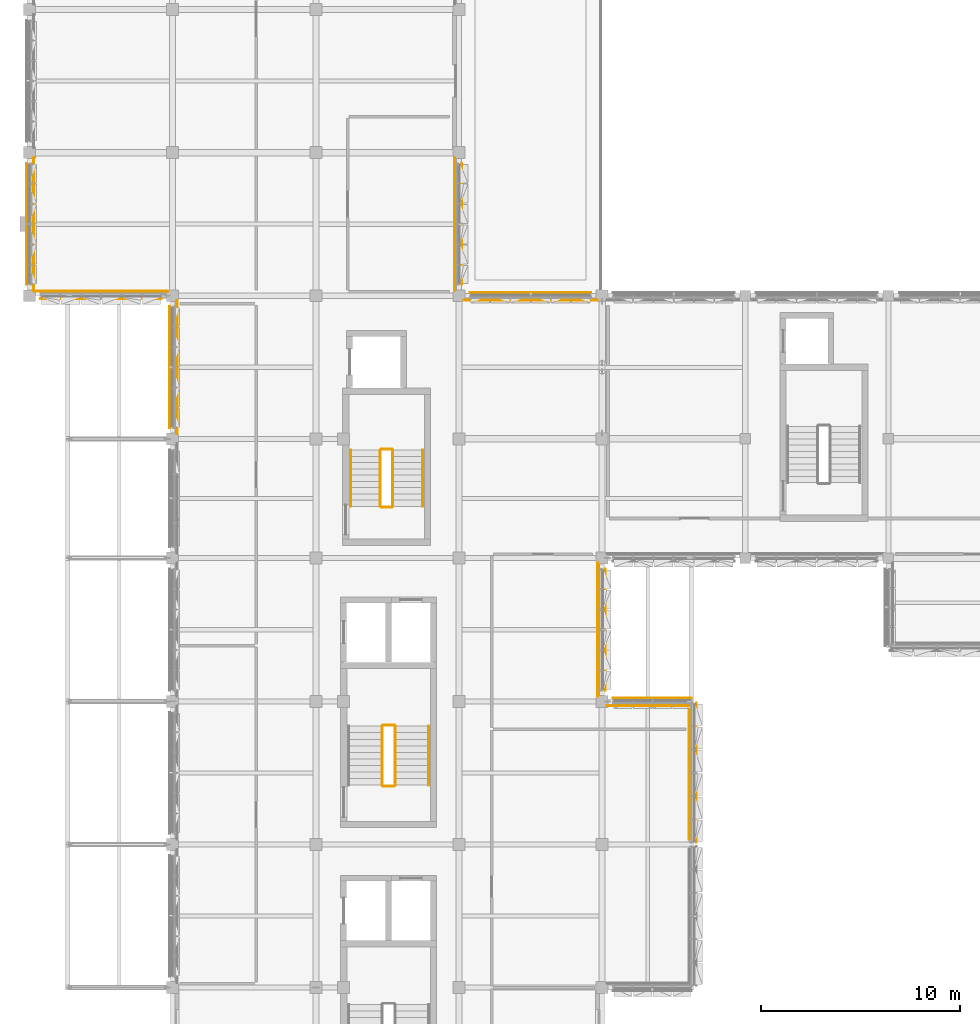
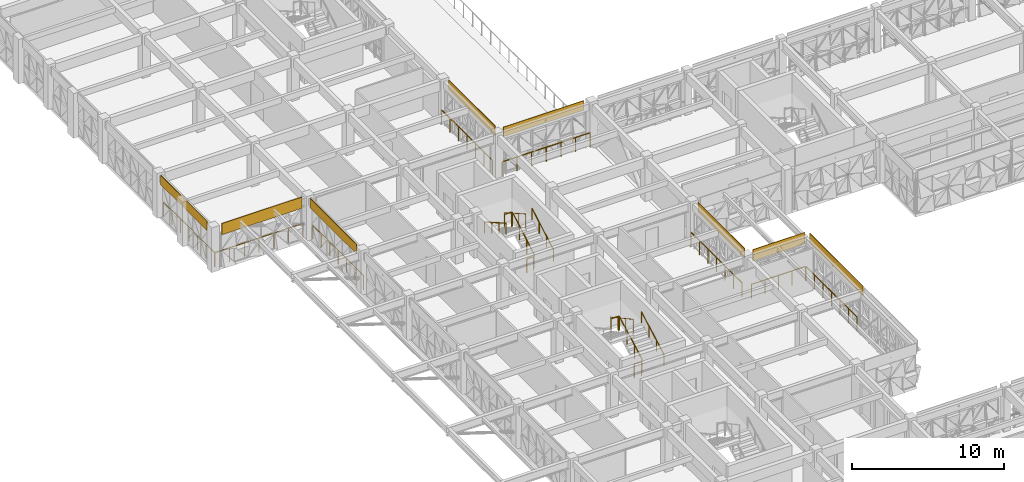
# One storey, part 80 of 99: 19 railings, 8 coverings.
"""IFC4 building model written with IfcOpenShell, lengths in metres."""

import ifcopenshell
import ifcopenshell.guid

model = None  # the IFC model being written
_history = None  # IfcOwnerHistory: only IFC2X3 demands one
_inside = {}  # id of a spatial element -> (the spatial element, [elements in it])
_under = {}  # id of a project, library or spatial element -> (it, [spatial elements below it])
_declared = {}  # id of a project -> (the project, [libraries it declares])
_typed = {}  # id of a type object -> (the type object, [elements of that type])
_made_of = {}  # id of a material, layer set ... -> (it, [elements and type objects made of it])


def new_model(schema):
    """Start an empty IFC model of exactly this schema.

    Asked for "IFC4X3", IfcOpenShell would pick the latest addendum, in which some entities
    have other attributes; the version numbers below select the first issue.
    IFC2X3 requires an IfcOwnerHistory on every rooted entity: one is made here for all.
    """
    global model, _history
    if schema == "IFC4X3":
        model = ifcopenshell.file(schema_version=(4, 3, 0, 0))
    else:
        model = ifcopenshell.file(schema=schema)
    _inside.clear()
    _under.clear()
    _declared.clear()
    _typed.clear()
    _made_of.clear()
    _history = None
    if model.schema == "IFC2X3":
        org = make("IfcOrganization", Name="unknown")
        user = make(
            "IfcPersonAndOrganization",
            ThePerson=make("IfcPerson", FamilyName="unknown"),
            TheOrganization=org,
        )
        app = make(
            "IfcApplication",
            ApplicationDeveloper=org,
            Version="unknown",
            ApplicationFullName="unknown",
            ApplicationIdentifier="unknown",
        )
        _history = make(
            "IfcOwnerHistory",
            OwningUser=user,
            OwningApplication=app,
            ChangeAction="ADDED",
            CreationDate=0,
        )
    return model


def make(cls, **values):
    """One entity of the class cls with the attributes given. An attribute that is None is left unset."""
    return model.create_entity(
        cls, **{name: value for name, value in values.items() if value is not None}
    )


def rooted(cls, **values):
    """An entity with a GlobalId (a new one), such as an element, a storey or a relation."""
    return make(cls, GlobalId=ifcopenshell.guid.new(), OwnerHistory=_history, **values)


def si_unit(unit_type, name, prefix=None):
    """IfcSIUnit, for example si_unit("LENGTHUNIT", "METRE", prefix="MILLI")."""
    return make("IfcSIUnit", UnitType=unit_type, Prefix=prefix, Name=name)


def assignment(units):
    """IfcUnitAssignment: the units of a project."""
    return None if units is None else make("IfcUnitAssignment", Units=units)


def point(xyz):
    """IfcCartesianPoint."""
    return None if xyz is None else make("IfcCartesianPoint", Coordinates=xyz)


def direction(xyz):
    """IfcDirection."""
    return None if xyz is None else make("IfcDirection", DirectionRatios=xyz)


def frame(location, z_axis=None, x_axis=None):
    """IfcAxis2Placement3D, a coordinate frame: its origin and axes. An axis left out is left unset."""
    return make(
        "IfcAxis2Placement3D",
        Location=point(location),
        Axis=direction(z_axis),
        RefDirection=direction(x_axis),
    )


def frame_2d(location, x_axis=None):
    """IfcAxis2Placement2D, a coordinate frame in the plane: its origin and x axis."""
    return make(
        "IfcAxis2Placement2D", Location=point(location), RefDirection=direction(x_axis)
    )


def origin():
    """The frame at (0, 0, 0) with its axes left unset."""
    return frame((0.0, 0.0, 0.0))


def origin_2d():
    """The frame at (0, 0) in the plane with its x axis left unset."""
    return frame_2d((0.0, 0.0))


def place(relative_to, where):
    """IfcLocalPlacement: puts the frame where relative to a parent placement (None: the world)."""
    return make(
        "IfcLocalPlacement", PlacementRelTo=relative_to, RelativePlacement=where
    )


def context(
    kind, dimensions, precision=None, world=None, true_north=None, identifier=None
):
    """IfcGeometricRepresentationContext, for example the 3D "Model" context."""
    return make(
        "IfcGeometricRepresentationContext",
        ContextIdentifier=identifier,
        ContextType=kind,
        CoordinateSpaceDimension=dimensions,
        Precision=precision,
        WorldCoordinateSystem=world,
        TrueNorth=true_north,
    )


def subcontext(parent, identifier, kind, view, scale=None):
    """IfcGeometricRepresentationSubContext, for example "Body" below "Model"."""
    return make(
        "IfcGeometricRepresentationSubContext",
        ContextIdentifier=identifier,
        ContextType=kind,
        ParentContext=parent,
        TargetScale=scale,
        TargetView=view,
    )


def project(units=None, contexts=None):
    """IfcProject with its units and contexts."""
    return rooted(
        "IfcProject",
        Name="project",
        RepresentationContexts=contexts,
        UnitsInContext=assignment(units),
    )


def spatial(cls, under=None, at=None, **own):
    """A site, building, storey or space (cls), placed at a placement, below another one or the project."""
    s = rooted(cls, ObjectPlacement=at, **own)
    if under is not None:
        _under.setdefault(under.id(), (under, []))[1].append(s)
    return s


def polyline(points):
    """IfcPolyline through the points."""
    return make("IfcPolyline", Points=[point(p) for p in points])


def profile(cls, at=None, kind="AREA", **sizes):
    """A parametric profile (cls). Its sizes go by their IFC names, for example OverallWidth=200.0."""
    return make(cls, ProfileType=kind, Position=at, **sizes)


def circle(**sizes):
    """IfcCircleProfileDef."""
    return profile("IfcCircleProfileDef", **sizes)


def outline(outer, holes=None, kind="AREA"):
    """IfcArbitraryClosedProfileDef: a profile drawn as a closed curve; with holes, ...WithVoids."""
    if holes is None:
        return make("IfcArbitraryClosedProfileDef", ProfileType=kind, OuterCurve=outer)
    return make(
        "IfcArbitraryProfileDefWithVoids",
        ProfileType=kind,
        OuterCurve=outer,
        InnerCurves=holes,
    )


def extrude(swept, where, along, depth):
    """IfcExtrudedAreaSolid: the profile swept, set in the frame where, extruded along a direction by depth."""
    return make(
        "IfcExtrudedAreaSolid",
        SweptArea=swept,
        Position=where,
        ExtrudedDirection=direction(along),
        Depth=depth,
    )


def shape(context_of_items, identifier, shape_type, items):
    """IfcShapeRepresentation: the items that make up one representation, for example the "Body"."""
    return make(
        "IfcShapeRepresentation",
        ContextOfItems=context_of_items,
        RepresentationIdentifier=identifier,
        RepresentationType=shape_type,
        Items=items,
    )


def material(Name=None, Category=None):
    """IfcMaterial."""
    return make("IfcMaterial", Name=Name, Category=Category)


def layer(
    of_material, thickness, ventilated=None, Name=None, Category=None, Priority=None
):
    """IfcMaterialLayer: one layer of a wall or slab, of a material (None: an air gap)."""
    return make(
        "IfcMaterialLayer",
        Material=of_material,
        LayerThickness=thickness,
        IsVentilated=ventilated,
        Name=Name,
        Category=Category,
        Priority=Priority,
    )


def layer_set(layers, Name=None):
    """IfcMaterialLayerSet."""
    return make("IfcMaterialLayerSet", MaterialLayers=layers, LayerSetName=Name)


def made_of(thing, what):
    """Note that an element or type object is made of a material, layer set ...; save() writes the relation."""
    if what is not None:
        _made_of.setdefault(what.id(), (what, []))[1].append(thing)
    return thing


def type_object(cls, material=None, **own):
    """A type object (cls), such as IfcWallType, which elements share."""
    return made_of(rooted(cls, **own), material)


def element(
    cls,
    number,
    at=None,
    inside=None,
    cuts=None,
    type_object=None,
    material=None,
    context=None,
    identifier="Body",
    shape_type=None,
    held_by="IfcProductDefinitionShape",
    body=None,
    shapes=None,
    **own,
):
    """One element of the class cls, such as IfcWall. Its Tag is "e" and its number.

    at: its placement. inside: the storey or other place that contains it. cuts: it is an
    opening in that element (IfcRelVoidsElement). A single representation is given by context,
    identifier, shape_type and body (its items); several are given by shapes. held_by: the class
    of the entity that holds the representations. save() writes the other relations.
    """
    e = rooted(cls, Tag="e%d" % number, ObjectPlacement=at, **own)
    if body is not None:
        shapes = [shape(context, identifier, shape_type, body)]
    if shapes is not None:
        e.Representation = make(held_by, Representations=shapes)
    if inside is not None:
        _inside.setdefault(inside.id(), (inside, []))[1].append(e)
    if cuts is not None:
        rooted(
            "IfcRelVoidsElement", RelatingBuildingElement=cuts, RelatedOpeningElement=e
        )
    if type_object is not None:
        _typed.setdefault(type_object.id(), (type_object, []))[1].append(e)
    return made_of(e, material)


def aggregate(whole, parts):
    """IfcRelAggregates: a whole, such as a stair, and the parts it consists of."""
    return rooted("IfcRelAggregates", RelatingObject=whole, RelatedObjects=parts)


def save(model, path):
    """Write the relations noted so far, then the file.

    IfcRelAggregates (storeys below a building ...), IfcRelContainedInSpatialStructure (elements
    in a storey), IfcRelDefinesByType, IfcRelAssociatesMaterial and IfcRelDeclares: one each for
    every whole, place, type object, material and project.
    """
    for whole, parts in _under.values():
        aggregate(whole, parts)
    for where, things in _inside.values():
        rooted(
            "IfcRelContainedInSpatialStructure",
            RelatedElements=things,
            RelatingStructure=where,
        )
    for kind, things in _typed.values():
        rooted("IfcRelDefinesByType", RelatedObjects=things, RelatingType=kind)
    for what, things in _made_of.values():
        rooted("IfcRelAssociatesMaterial", RelatedObjects=things, RelatingMaterial=what)
    for by, libraries in _declared.values():
        rooted("IfcRelDeclares", RelatingContext=by, RelatedDefinitions=libraries)
    model.write(path)


model = new_model("IFC4")

# Units and contexts
model_context = context("Model", 3, precision=1e-05, world=origin(), true_north=direction((0.0, 1.0)))
body_context = subcontext(model_context, "Body", "Model", "MODEL_VIEW")
ifc_project = project(units=[si_unit("LENGTHUNIT", "METRE"), si_unit("AREAUNIT", "SQUARE_METRE"), si_unit("VOLUMEUNIT", "CUBIC_METRE"), si_unit("PLANEANGLEUNIT", "RADIAN"), si_unit("MASSUNIT", "GRAM", prefix="KILO")], contexts=[model_context])

# Site, building, storey
site_placement = place(None, origin())
site = spatial("IfcSite", under=ifc_project, at=site_placement, CompositionType="ELEMENT")
building_placement = place(site_placement, origin())
building = spatial("IfcBuilding", under=site, at=building_placement, Name="Alvorim Cloister Faculty of Sciences", CompositionType="ELEMENT")
storey_placement = place(building_placement, frame((0.0, 0.0, 12.14990234375)))
storey = spatial("IfcBuildingStorey", under=building, at=storey_placement, Name="L03", CompositionType="ELEMENT", Elevation=12.14990234375)

# Coverings
ifc_material_1 = material(Name="Anodised Aluminium Alloy 6063-T6", Category="aluminium")
ifc_layer = layer(ifc_material_1, 0.031982421875)
ifc_layer_set = layer_set([ifc_layer], Name="Anodised Aluminium Alloy 6063-T6")
covering_type = type_object("IfcCoveringType", Name="COV-FAC-CAS", PredefinedType="CLADDING", material=ifc_layer_set)
covering_1_placement = place(storey_placement, frame((7.050048828125, 49.739990234375, 2.830078125), z_axis=(0.0, 0.0, 1.0), x_axis=(0.0, 1.0, 0.0)))
element("IfcCovering", 1, at=covering_1_placement, inside=storey, type_object=covering_type, Name="L03 Shifted Bar Slab-Edge Architectural Fascia", PredefinedType="CLADDING", context=body_context, shape_type="SweptSolid", body=[
    extrude(outline(polyline([(0.0, 0.0), (6.1201171875, 0.0), (6.1201171875, 0.760009765625), (0.0, 0.760009765625), (0.0, 0.0)])), frame((0.0, 0.0224609375, 0.0), z_axis=(0.0, -1.0, 0.0), x_axis=(1.0, 0.0, 0.0)), (0.0, 0.0, 1.0), 0.044921875),
])
covering_2_placement = place(storey_placement, frame((0.5400390625, 56.25, 2.68603515625), z_axis=(0.0, 0.0, 1.0), x_axis=(1.0, 0.0, 0.0)))
element("IfcCovering", 2, at=covering_2_placement, inside=storey, type_object=covering_type, Name="L03 Shifted Bar Slab-Edge Architectural Fascia", PredefinedType="CLADDING", context=body_context, shape_type="SweptSolid", body=[
    extrude(outline(polyline([(0.0, 0.0), (6.1201171875, 0.0), (6.1201171875, 0.904052734375), (0.0, 0.904052734375), (0.0, 0.0)])), frame((0.0, 0.0224609375, 0.0), z_axis=(0.0, -1.0, 0.0), x_axis=(1.0, 0.0, 0.0)), (0.0, 0.0, 1.0), 0.044921875),
])
for number, where, z_axis, x_axis, name in (
    (3, (-0.14990234375, 56.93994140625, 2.830078125), (0.0, 0.0, 1.0), (0.0, 1.0, 0.0), "L03 Shifted Bar Slab-Edge Architectural Fascia"),
    (4, (21.75, 56.93994140625, 2.830078125), (0.0, 0.0, 1.0), (0.0, 1.0, 0.0), "L03 Shifted Bar Slab-Edge Architectural Fascia"),
    (5, (22.139892578125, 56.550048828125, 2.830078125), (0.0, 0.0, 1.0), (1.0, 0.0, 0.0), "L03 Shifted Bar Slab-Edge Architectural Fascia"),
    (6, (28.949951171875, 36.5400390625, 2.830078125), (0.0, 0.0, 1.0), (0.0, 1.0, 0.0), "L03 Shifted Bar Slab-Edge Architectural Fascia"),
):
    element("IfcCovering", number, at=place(storey_placement, frame(where, z_axis=z_axis, x_axis=x_axis)), inside=storey, type_object=covering_type, Name=name, PredefinedType="CLADDING", context=body_context, shape_type="SweptSolid", body=[
        extrude(outline(polyline([(0.0, 0.0), (6.1201171875, 0.0), (6.1201171875, 0.760009765625), (0.0, 0.760009765625), (0.0, 0.0)])), frame((0.0, 0.0224609375, 0.0), z_axis=(0.0, -1.0, 0.0), x_axis=(1.0, 0.0, 0.0)), (0.0, 0.0, 1.0), 0.044921875),
    ])
covering_3_placement = place(storey_placement, frame((29.340087890625, 36.14990234375, 2.68603515625), z_axis=(0.0, 0.0, 1.0), x_axis=(1.0, 0.0, 0.0)))
element("IfcCovering", 7, at=covering_3_placement, inside=storey, type_object=covering_type, Name="L03 Shifted Bar Slab-Edge Architectural Fascia", PredefinedType="CLADDING", context=body_context, shape_type="SweptSolid", body=[
    extrude(outline(polyline([(0.0, 0.0), (3.97998046875, 0.0), (3.97998046875, 0.904052734375), (0.0, 0.904052734375), (0.0, 0.0)])), frame((0.0, 0.0224609375, 0.0), z_axis=(0.0, -1.0, 0.0), x_axis=(1.0, 0.0, 0.0)), (0.0, 0.0, 1.0), 0.044921875),
])
covering_4_placement = place(storey_placement, frame((33.550048828125, 28.8798828125, 2.837158203125), z_axis=(0.0, 0.0, 1.0), x_axis=(0.0, 1.0, 0.0)))
element("IfcCovering", 8, at=covering_4_placement, inside=storey, type_object=covering_type, Name="L03 Shifted Bar Slab-Edge Architectural Fascia", PredefinedType="CLADDING", context=body_context, shape_type="SweptSolid", body=[
    extrude(outline(polyline([(0.0, 0.0), (7.0400390625, 0.0), (7.0400390625, 0.7529296875), (0.0, 0.7529296875), (0.0, 0.0)])), frame((0.0, 0.0224609375, 0.0), z_axis=(0.0, -1.0, 0.0), x_axis=(1.0, 0.0, 0.0)), (0.0, 0.0, 1.0), 0.044921875),
])

# Railings
ifc_material_2 = material(Name="Laminated Safety Glass and Bronze", Category="glass")
railing_type_1 = type_object("IfcRailingType", Name="RL-ATR-BAL-1150", PredefinedType="BALUSTRADE", material=ifc_material_2)
railing_1_placement = place(storey_placement, frame((7.419921875, 49.449951171875, 0.0)))
element("IfcRailing", 9, at=railing_1_placement, inside=storey, type_object=railing_type_1, Name="L03 Curtain Wall Sill Guard BL-98", PredefinedType="BALUSTRADE", context=body_context, shape_type="SweptSolid", body=[
    extrude(circle(Radius=0.02392578125, at=origin_2d()), frame((0.0, 0.0, 1.1259765625), z_axis=(0.0, 1.0, 0.0), x_axis=(-1.0, 0.0, 0.0)), (0.0, 0.0, 1.0), 6.699951171875),
    extrude(circle(Radius=0.02099609375, at=origin_2d()), origin(), (0.0, 0.0, 1.0), 1.101806640625),
    extrude(circle(Radius=0.02099609375, at=origin_2d()), frame((0.0, 1.11669921875, 0.0)), (0.0, 0.0, 1.0), 1.101806640625),
    extrude(circle(Radius=0.02099609375, at=origin_2d()), frame((0.0, 2.2333984375, 0.0)), (0.0, 0.0, 1.0), 1.101806640625),
    extrude(circle(Radius=0.02099609375, at=origin_2d()), frame((0.0, 3.35009765625, 0.0)), (0.0, 0.0, 1.0), 1.101806640625),
    extrude(circle(Radius=0.02099609375, at=origin_2d()), frame((0.0, 4.466552734375, 0.0)), (0.0, 0.0, 1.0), 1.101806640625),
    extrude(circle(Radius=0.02099609375, at=origin_2d()), frame((0.0, 5.583251953125, 0.0)), (0.0, 0.0, 1.0), 1.101806640625),
    extrude(circle(Radius=0.02099609375, at=origin_2d()), frame((0.0, 6.699951171875, 0.0)), (0.0, 0.0, 1.0), 1.101806640625),
])
railing_2_placement = place(storey_placement, frame((0.25, 56.6201171875, 0.0)))
element("IfcRailing", 10, at=railing_2_placement, inside=storey, type_object=railing_type_1, Name="L03 Curtain Wall Sill Guard BL-99", PredefinedType="BALUSTRADE", context=body_context, shape_type="SweptSolid", body=[
    extrude(circle(Radius=0.02392578125, at=origin_2d()), frame((0.0, 0.0, 1.1259765625), z_axis=(1.0, 0.0, 0.0), x_axis=(0.0, 1.0, 0.0)), (0.0, 0.0, 1.0), 6.699951171875),
    extrude(circle(Radius=0.02099609375, at=origin_2d()), origin(), (0.0, 0.0, 1.0), 1.101806640625),
    extrude(circle(Radius=0.02099609375, at=origin_2d()), frame((1.11669921875, 0.0, 0.0)), (0.0, 0.0, 1.0), 1.101806640625),
    extrude(circle(Radius=0.02099609375, at=origin_2d()), frame((2.2333984375, 0.0, 0.0)), (0.0, 0.0, 1.0), 1.101806640625),
    extrude(circle(Radius=0.02099609375, at=origin_2d()), frame((3.35009765625, 0.0, 0.0)), (0.0, 0.0, 1.0), 1.101806640625),
    extrude(circle(Radius=0.02099609375, at=origin_2d()), frame((4.466552734375, 0.0, 0.0)), (0.0, 0.0, 1.0), 1.101806640625),
    extrude(circle(Radius=0.02099609375, at=origin_2d()), frame((5.583251953125, 0.0, 0.0)), (0.0, 0.0, 1.0), 1.101806640625),
    extrude(circle(Radius=0.02099609375, at=origin_2d()), frame((6.699951171875, 0.0, 0.0)), (0.0, 0.0, 1.0), 1.101806640625),
])
for number, where, name in (
    (11, (0.219970703125, 56.64990234375, 0.0), "L03 Curtain Wall Sill Guard BL-100"),
    (12, (21.3798828125, 56.64990234375, 0.0), "L03 Curtain Wall Sill Guard BL-117"),
):
    element("IfcRailing", number, at=place(storey_placement, frame(where)), inside=storey, type_object=railing_type_1, Name=name, PredefinedType="BALUSTRADE", context=body_context, shape_type="SweptSolid", body=[
        extrude(circle(Radius=0.02392578125, at=origin_2d()), frame((0.0, 0.0, 1.1259765625), z_axis=(0.0, 1.0, 0.0), x_axis=(-1.0, 0.0, 0.0)), (0.0, 0.0, 1.0), 6.7001953125),
        extrude(circle(Radius=0.02099609375, at=origin_2d()), origin(), (0.0, 0.0, 1.0), 1.101806640625),
        extrude(circle(Radius=0.02099609375, at=origin_2d()), frame((0.0, 1.11669921875, 0.0)), (0.0, 0.0, 1.0), 1.101806640625),
        extrude(circle(Radius=0.02099609375, at=origin_2d()), frame((0.0, 2.2333984375, 0.0)), (0.0, 0.0, 1.0), 1.101806640625),
        extrude(circle(Radius=0.02099609375, at=origin_2d()), frame((0.0, 3.35009765625, 0.0)), (0.0, 0.0, 1.0), 1.101806640625),
        extrude(circle(Radius=0.02099609375, at=origin_2d()), frame((0.0, 4.466796875, 0.0)), (0.0, 0.0, 1.0), 1.101806640625),
        extrude(circle(Radius=0.02099609375, at=origin_2d()), frame((0.0, 5.58349609375, 0.0)), (0.0, 0.0, 1.0), 1.101806640625),
        extrude(circle(Radius=0.02099609375, at=origin_2d()), frame((0.0, 6.7001953125, 0.0)), (0.0, 0.0, 1.0), 1.101806640625),
    ])
railing_3_placement = place(storey_placement, frame((21.85009765625, 56.179931640625, 0.0)))
element("IfcRailing", 13, at=railing_3_placement, inside=storey, type_object=railing_type_1, Name="L03 Curtain Wall Sill Guard BL-118", PredefinedType="BALUSTRADE", context=body_context, shape_type="SweptSolid", body=[
    extrude(circle(Radius=0.02392578125, at=origin_2d()), frame((0.0, 0.0, 1.1259765625), z_axis=(1.0, 0.0, 0.0), x_axis=(0.0, 1.0, 0.0)), (0.0, 0.0, 1.0), 6.699951171875),
    extrude(circle(Radius=0.02099609375, at=origin_2d()), origin(), (0.0, 0.0, 1.0), 1.101806640625),
    extrude(circle(Radius=0.02099609375, at=origin_2d()), frame((1.11669921875, 0.0, 0.0)), (0.0, 0.0, 1.0), 1.101806640625),
    extrude(circle(Radius=0.02099609375, at=origin_2d()), frame((2.2333984375, 0.0, 0.0)), (0.0, 0.0, 1.0), 1.101806640625),
    extrude(circle(Radius=0.02099609375, at=origin_2d()), frame((3.35009765625, 0.0, 0.0)), (0.0, 0.0, 1.0), 1.101806640625),
    extrude(circle(Radius=0.02099609375, at=origin_2d()), frame((4.466552734375, 0.0, 0.0)), (0.0, 0.0, 1.0), 1.101806640625),
    extrude(circle(Radius=0.02099609375, at=origin_2d()), frame((5.583251953125, 0.0, 0.0)), (0.0, 0.0, 1.0), 1.101806640625),
    extrude(circle(Radius=0.02099609375, at=origin_2d()), frame((6.699951171875, 0.0, 0.0)), (0.0, 0.0, 1.0), 1.101806640625),
])
railing_4_placement = place(storey_placement, frame((28.580078125, 36.25, 0.0)))
element("IfcRailing", 14, at=railing_4_placement, inside=storey, type_object=railing_type_1, Name="L03 Curtain Wall Sill Guard BL-133", PredefinedType="BALUSTRADE", context=body_context, shape_type="SweptSolid", body=[
    extrude(circle(Radius=0.02392578125, at=origin_2d()), frame((0.0, 0.0, 1.1259765625), z_axis=(0.0, 1.0, 0.0), x_axis=(-1.0, 0.0, 0.0)), (0.0, 0.0, 1.0), 6.699951171875),
    extrude(circle(Radius=0.02099609375, at=origin_2d()), origin(), (0.0, 0.0, 1.0), 1.101806640625),
    extrude(circle(Radius=0.02099609375, at=origin_2d()), frame((0.0, 1.11669921875, 0.0)), (0.0, 0.0, 1.0), 1.101806640625),
    extrude(circle(Radius=0.02099609375, at=origin_2d()), frame((0.0, 2.2333984375, 0.0)), (0.0, 0.0, 1.0), 1.101806640625),
    extrude(circle(Radius=0.02099609375, at=origin_2d()), frame((0.0, 3.35009765625, 0.0)), (0.0, 0.0, 1.0), 1.101806640625),
    extrude(circle(Radius=0.02099609375, at=origin_2d()), frame((0.0, 4.466552734375, 0.0)), (0.0, 0.0, 1.0), 1.101806640625),
    extrude(circle(Radius=0.02099609375, at=origin_2d()), frame((0.0, 5.583251953125, 0.0)), (0.0, 0.0, 1.0), 1.101806640625),
    extrude(circle(Radius=0.02099609375, at=origin_2d()), frame((0.0, 6.699951171875, 0.0)), (0.0, 0.0, 1.0), 1.101806640625),
])
railing_5_placement = place(storey_placement, frame((29.050048828125, 35.780029296875, 0.0)))
element("IfcRailing", 15, at=railing_5_placement, inside=storey, type_object=railing_type_1, Name="L03 Curtain Wall Sill Guard BL-134", PredefinedType="BALUSTRADE", context=body_context, shape_type="SweptSolid", body=[
    extrude(circle(Radius=0.02392578125, at=origin_2d()), frame((0.0, 0.0, 1.1259765625), z_axis=(1.0, 0.0, 0.0), x_axis=(0.0, 1.0, 0.0)), (0.0, 0.0, 1.0), 4.099853515625),
    extrude(circle(Radius=0.02099609375, at=origin_2d()), origin(), (0.0, 0.0, 1.0), 1.101806640625),
    extrude(circle(Radius=0.02099609375, at=origin_2d()), frame((1.02490234375, 0.0, 0.0)), (0.0, 0.0, 1.0), 1.101806640625),
    extrude(circle(Radius=0.02099609375, at=origin_2d()), frame((2.0498046875, 0.0, 0.0)), (0.0, 0.0, 1.0), 1.101806640625),
    extrude(circle(Radius=0.02099609375, at=origin_2d()), frame((3.074951171875, 0.0, 0.0)), (0.0, 0.0, 1.0), 1.101806640625),
    extrude(circle(Radius=0.02099609375, at=origin_2d()), frame((4.099853515625, 0.0, 0.0)), (0.0, 0.0, 1.0), 1.101806640625),
])
railing_6_placement = place(storey_placement, frame((33.179931640625, 29.050048828125, 0.0)))
element("IfcRailing", 16, at=railing_6_placement, inside=storey, type_object=railing_type_1, Name="L03 Curtain Wall Sill Guard BL-135", PredefinedType="BALUSTRADE", context=body_context, shape_type="SweptSolid", body=[
    extrude(circle(Radius=0.02392578125, at=origin_2d()), frame((0.0, 0.0, 1.1259765625), z_axis=(0.0, 1.0, 0.0), x_axis=(-1.0, 0.0, 0.0)), (0.0, 0.0, 1.0), 6.699951171875),
    extrude(circle(Radius=0.02099609375, at=origin_2d()), origin(), (0.0, 0.0, 1.0), 1.101806640625),
    extrude(circle(Radius=0.02099609375, at=origin_2d()), frame((0.0, 1.11669921875, 0.0)), (0.0, 0.0, 1.0), 1.101806640625),
    extrude(circle(Radius=0.02099609375, at=origin_2d()), frame((0.0, 2.2333984375, 0.0)), (0.0, 0.0, 1.0), 1.101806640625),
    extrude(circle(Radius=0.02099609375, at=origin_2d()), frame((0.0, 3.35009765625, 0.0)), (0.0, 0.0, 1.0), 1.101806640625),
    extrude(circle(Radius=0.02099609375, at=origin_2d()), frame((0.0, 4.466552734375, 0.0)), (0.0, 0.0, 1.0), 1.101806640625),
    extrude(circle(Radius=0.02099609375, at=origin_2d()), frame((0.0, 5.583251953125, 0.0)), (0.0, 0.0, 1.0), 1.101806640625),
    extrude(circle(Radius=0.02099609375, at=origin_2d()), frame((0.0, 6.699951171875, 0.0)), (0.0, 0.0, 1.0), 1.101806640625),
])
ifc_material_3 = material(Name="Galvanised Painted Steel", Category="steel")
railing_type_2 = type_object("IfcRailingType", Name="RL-STR-GUARD", PredefinedType="GUARDRAIL", material=ifc_material_3)
railing_7_placement = place(storey_placement, frame((18.389892578125, 31.780029296875, 0.18017578125)))
element("IfcRailing", 17, at=railing_7_placement, inside=storey, type_object=railing_type_2, Name="L03 ST-02 stair guard 1", PredefinedType="GUARDRAIL", context=body_context, shape_type="SweptSolid", body=[
    extrude(circle(Radius=0.02392578125, at=origin_2d()), frame((0.0, 0.0, 1.09619140625), z_axis=(0.0, 0.877909362389, 0.478826849112), x_axis=(-1.0, 0.0, 0.0)), (0.0, 0.0, 1.0), 3.383056640625),
    extrude(circle(Radius=0.02099609375, at=origin_2d()), origin(), (0.0, 0.0, 1.0), 1.072021484375),
    extrude(circle(Radius=0.02099609375, at=origin_2d()), frame((0.0, 0.989990234375, 0.5400390625)), (0.0, 0.0, 1.0), 1.072021484375),
    extrude(circle(Radius=0.02099609375, at=origin_2d()), frame((0.0, 1.97998046875, 1.079833984375)), (0.0, 0.0, 1.0), 1.072021484375),
    extrude(circle(Radius=0.02099609375, at=origin_2d()), frame((0.0, 2.969970703125, 1.619873046875)), (0.0, 0.0, 1.0), 1.072021484375),
])
railing_8_placement = place(storey_placement, frame((18.340087890625, 34.800048828125, 1.800048828125)))
element("IfcRailing", 18, at=railing_8_placement, inside=storey, type_object=railing_type_2, Name="L03 ST-02 stair guard 2", PredefinedType="GUARDRAIL", context=body_context, shape_type="SweptSolid", body=[
    extrude(circle(Radius=0.02392578125, at=origin_2d()), frame((0.0, 0.0, 1.09619140625), z_axis=(-1.0, 0.0, 0.0), x_axis=(0.0, -1.0, 0.0)), (0.0, 0.0, 1.0), 0.56005859375),
    extrude(circle(Radius=0.02099609375, at=origin_2d()), origin(), (0.0, 0.0, 1.0), 1.072021484375),
    extrude(circle(Radius=0.02099609375, at=origin_2d()), frame((-0.56005859375, 0.0, 0.0)), (0.0, 0.0, 1.0), 1.072021484375),
])
railing_9_placement = place(storey_placement, frame((17.72998046875, 34.75, 1.97998046875)))
element("IfcRailing", 19, at=railing_9_placement, inside=storey, type_object=railing_type_2, Name="L03 ST-02 stair guard 3", PredefinedType="GUARDRAIL", context=body_context, shape_type="SweptSolid", body=[
    extrude(circle(Radius=0.02392578125, at=origin_2d()), frame((0.0, 0.0, 1.09619140625), z_axis=(0.0, -0.877879025156, 0.47888246699), x_axis=(1.0, 0.0, 0.0)), (0.0, 0.0, 1.0), 3.383056640625),
    extrude(circle(Radius=0.02099609375, at=origin_2d()), origin(), (0.0, 0.0, 1.0), 1.072021484375),
    extrude(circle(Radius=0.02099609375, at=origin_2d()), frame((0.0, -0.989990234375, 0.5400390625)), (0.0, 0.0, 1.0), 1.072021484375),
    extrude(circle(Radius=0.02099609375, at=origin_2d()), frame((0.0, -1.97998046875, 1.080078125)), (0.0, 0.0, 1.0), 1.072021484375),
    extrude(circle(Radius=0.02099609375, at=origin_2d()), frame((0.0, -2.969970703125, 1.6201171875)), (0.0, 0.0, 1.0), 1.072021484375),
])
railing_10_placement = place(storey_placement, frame((18.340087890625, 31.72998046875, 0.0)))
element("IfcRailing", 20, at=railing_10_placement, inside=storey, type_object=railing_type_2, Name="L03 ST-02 stair guard 4", PredefinedType="GUARDRAIL", context=body_context, shape_type="SweptSolid", body=[
    extrude(circle(Radius=0.02392578125, at=origin_2d()), frame((0.0, 0.0, 1.09619140625), z_axis=(-1.0, 0.0, 0.0), x_axis=(0.0, -1.0, 0.0)), (0.0, 0.0, 1.0), 0.56005859375),
    extrude(circle(Radius=0.02099609375, at=origin_2d()), origin(), (0.0, 0.0, 1.0), 1.072021484375),
    extrude(circle(Radius=0.02099609375, at=origin_2d()), frame((-0.56005859375, 0.0, 0.0)), (0.0, 0.0, 1.0), 1.072021484375),
])
railing_11_placement = place(storey_placement, frame((18.27001953125, 45.800048828125, 0.18017578125)))
element("IfcRailing", 21, at=railing_11_placement, inside=storey, type_object=railing_type_2, Name="L03 ST-03 stair guard 1", PredefinedType="GUARDRAIL", context=body_context, shape_type="SweptSolid", body=[
    extrude(circle(Radius=0.02392578125, at=origin_2d()), frame((0.0, 0.0, 1.09619140625), z_axis=(0.0, 0.868256945921, 0.496114780932), x_axis=(-1.0, 0.0, 0.0)), (0.0, 0.0, 1.0), 3.26513671875),
    extrude(circle(Radius=0.02099609375, at=origin_2d()), origin(), (0.0, 0.0, 1.0), 1.072021484375),
    extrude(circle(Radius=0.02099609375, at=origin_2d()), frame((0.0, 0.945068359375, 0.5400390625)), (0.0, 0.0, 1.0), 1.072021484375),
    extrude(circle(Radius=0.02099609375, at=origin_2d()), frame((0.0, 1.889892578125, 1.079833984375)), (0.0, 0.0, 1.0), 1.072021484375),
    extrude(circle(Radius=0.02099609375, at=origin_2d()), frame((0.0, 2.8349609375, 1.619873046875)), (0.0, 0.0, 1.0), 1.072021484375),
])
railing_12_placement = place(storey_placement, frame((18.219970703125, 48.68505859375, 1.800048828125)))
element("IfcRailing", 22, at=railing_12_placement, inside=storey, type_object=railing_type_2, Name="L03 ST-03 stair guard 2", PredefinedType="GUARDRAIL", context=body_context, shape_type="SweptSolid", body=[
    extrude(circle(Radius=0.02392578125, at=origin_2d()), frame((0.0, 0.0, 1.09619140625), z_axis=(-1.0, 0.0, 0.0), x_axis=(0.0, -1.0, 0.0)), (0.0, 0.0, 1.0), 0.52001953125),
    extrude(circle(Radius=0.02099609375, at=origin_2d()), origin(), (0.0, 0.0, 1.0), 1.072021484375),
    extrude(circle(Radius=0.02099609375, at=origin_2d()), frame((-0.52001953125, 0.0, 0.0)), (0.0, 0.0, 1.0), 1.072021484375),
])
railing_13_placement = place(storey_placement, frame((17.64990234375, 48.635009765625, 1.97998046875)))
element("IfcRailing", 23, at=railing_13_placement, inside=storey, type_object=railing_type_2, Name="L03 ST-03 stair guard 3", PredefinedType="GUARDRAIL", context=body_context, shape_type="SweptSolid", body=[
    extrude(circle(Radius=0.02392578125, at=origin_2d()), frame((0.0, 0.0, 1.09619140625), z_axis=(0.0, -0.868224736699, 0.496171146464), x_axis=(1.0, 0.0, 0.0)), (0.0, 0.0, 1.0), 3.26513671875),
    extrude(circle(Radius=0.02099609375, at=origin_2d()), origin(), (0.0, 0.0, 1.0), 1.072021484375),
    extrude(circle(Radius=0.02099609375, at=origin_2d()), frame((0.0, -0.945068359375, 0.5400390625)), (0.0, 0.0, 1.0), 1.072021484375),
    extrude(circle(Radius=0.02099609375, at=origin_2d()), frame((0.0, -1.889892578125, 1.080078125)), (0.0, 0.0, 1.0), 1.072021484375),
    extrude(circle(Radius=0.02099609375, at=origin_2d()), frame((0.0, -2.8349609375, 1.6201171875)), (0.0, 0.0, 1.0), 1.072021484375),
])
railing_14_placement = place(storey_placement, frame((18.219970703125, 45.75, 0.0)))
element("IfcRailing", 24, at=railing_14_placement, inside=storey, type_object=railing_type_2, Name="L03 ST-03 stair guard 4", PredefinedType="GUARDRAIL", context=body_context, shape_type="SweptSolid", body=[
    extrude(circle(Radius=0.02392578125, at=origin_2d()), frame((0.0, 0.0, 1.09619140625), z_axis=(-1.0, 0.0, 0.0), x_axis=(0.0, -1.0, 0.0)), (0.0, 0.0, 1.0), 0.52001953125),
    extrude(circle(Radius=0.02099609375, at=origin_2d()), origin(), (0.0, 0.0, 1.0), 1.072021484375),
    extrude(circle(Radius=0.02099609375, at=origin_2d()), frame((-0.52001953125, 0.0, 0.0)), (0.0, 0.0, 1.0), 1.072021484375),
])
ifc_material_4 = material(Name="Brushed Stainless Steel", Category="steel")
railing_type_3 = type_object("IfcRailingType", Name="RL-STR-HAND", PredefinedType="HANDRAIL", material=ifc_material_4)
railing_15_placement = place(storey_placement, frame((20.070068359375, 31.780029296875, 0.18017578125)))
element("IfcRailing", 25, at=railing_15_placement, inside=storey, type_object=railing_type_3, Name="L03 ST-02 stair handrail 1", PredefinedType="HANDRAIL", context=body_context, shape_type="SweptSolid", body=[
    extrude(circle(Radius=0.02392578125, at=origin_2d()), frame((0.0, 0.0, 0.8759765625), z_axis=(0.0, 0.877909362389, 0.478826849112), x_axis=(-1.0, 0.0, 0.0)), (0.0, 0.0, 1.0), 3.383056640625),
    extrude(circle(Radius=0.02099609375, at=origin_2d()), origin(), (0.0, 0.0, 1.0), 0.851806640625),
    extrude(circle(Radius=0.02099609375, at=origin_2d()), frame((0.0, 0.989990234375, 0.5400390625)), (0.0, 0.0, 1.0), 0.851806640625),
    extrude(circle(Radius=0.02099609375, at=origin_2d()), frame((0.0, 1.97998046875, 1.079833984375)), (0.0, 0.0, 1.0), 0.851806640625),
    extrude(circle(Radius=0.02099609375, at=origin_2d()), frame((0.0, 2.969970703125, 1.619873046875)), (0.0, 0.0, 1.0), 0.851806640625),
])
railing_16_placement = place(storey_placement, frame((19.77001953125, 45.800048828125, 0.18017578125)))
element("IfcRailing", 26, at=railing_16_placement, inside=storey, type_object=railing_type_3, Name="L03 ST-03 stair handrail 1", PredefinedType="HANDRAIL", context=body_context, shape_type="SweptSolid", body=[
    extrude(circle(Radius=0.02392578125, at=origin_2d()), frame((0.0, 0.0, 0.8759765625), z_axis=(0.0, 0.868256945921, 0.496114780932), x_axis=(-1.0, 0.0, 0.0)), (0.0, 0.0, 1.0), 3.26513671875),
    extrude(circle(Radius=0.02099609375, at=origin_2d()), origin(), (0.0, 0.0, 1.0), 0.851806640625),
    extrude(circle(Radius=0.02099609375, at=origin_2d()), frame((0.0, 0.945068359375, 0.5400390625)), (0.0, 0.0, 1.0), 0.851806640625),
    extrude(circle(Radius=0.02099609375, at=origin_2d()), frame((0.0, 1.889892578125, 1.079833984375)), (0.0, 0.0, 1.0), 0.851806640625),
    extrude(circle(Radius=0.02099609375, at=origin_2d()), frame((0.0, 2.8349609375, 1.619873046875)), (0.0, 0.0, 1.0), 0.851806640625),
])
railing_17_placement = place(storey_placement, frame((16.14990234375, 48.635009765625, 1.97998046875)))
element("IfcRailing", 27, at=railing_17_placement, inside=storey, type_object=railing_type_3, Name="L03 ST-03 stair handrail 2", PredefinedType="HANDRAIL", context=body_context, shape_type="SweptSolid", body=[
    extrude(circle(Radius=0.02392578125, at=origin_2d()), frame((0.0, 0.0, 0.8759765625), z_axis=(0.0, -0.868224736699, 0.496171146464), x_axis=(1.0, 0.0, 0.0)), (0.0, 0.0, 1.0), 3.26513671875),
    extrude(circle(Radius=0.02099609375, at=origin_2d()), origin(), (0.0, 0.0, 1.0), 0.851806640625),
    extrude(circle(Radius=0.02099609375, at=origin_2d()), frame((0.0, -0.945068359375, 0.5400390625)), (0.0, 0.0, 1.0), 0.851806640625),
    extrude(circle(Radius=0.02099609375, at=origin_2d()), frame((0.0, -1.889892578125, 1.080078125)), (0.0, 0.0, 1.0), 0.851806640625),
    extrude(circle(Radius=0.02099609375, at=origin_2d()), frame((0.0, -2.8349609375, 1.6201171875)), (0.0, 0.0, 1.0), 0.851806640625),
])

save(model, "model.ifc")
